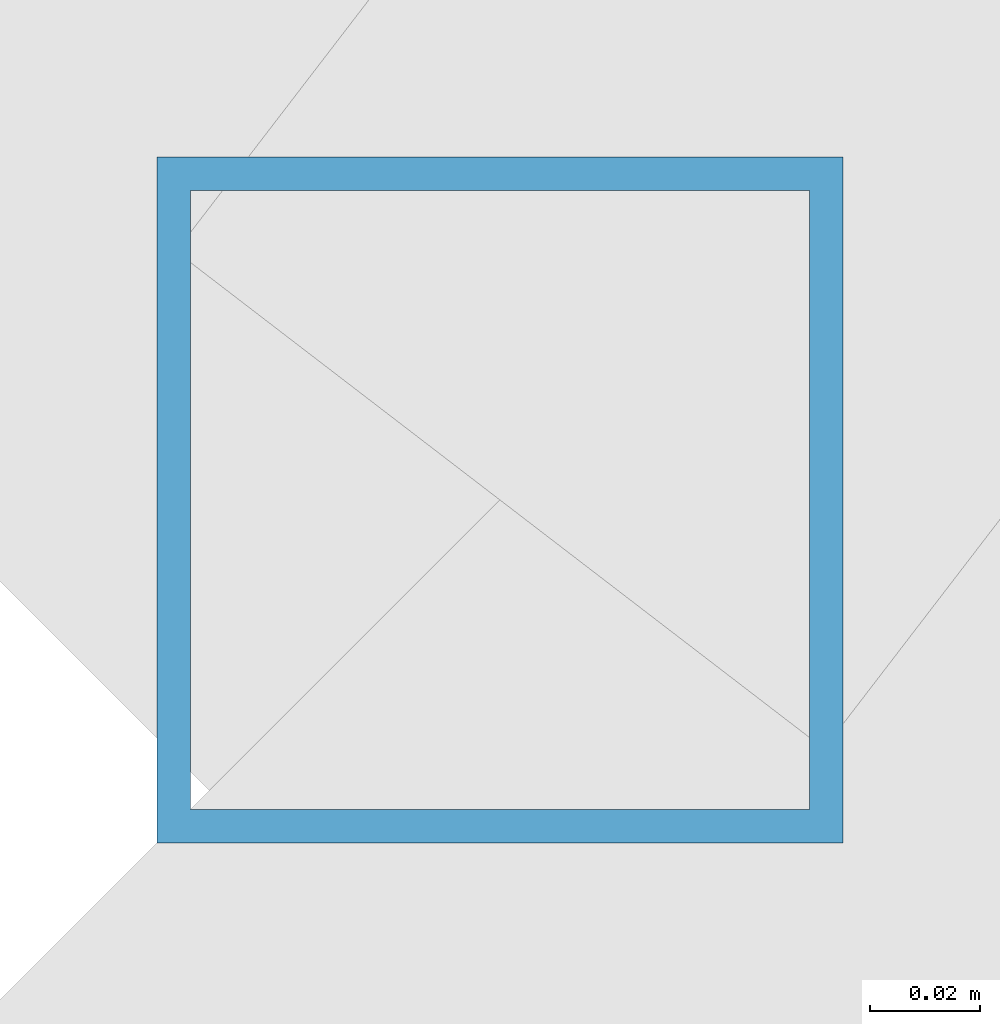
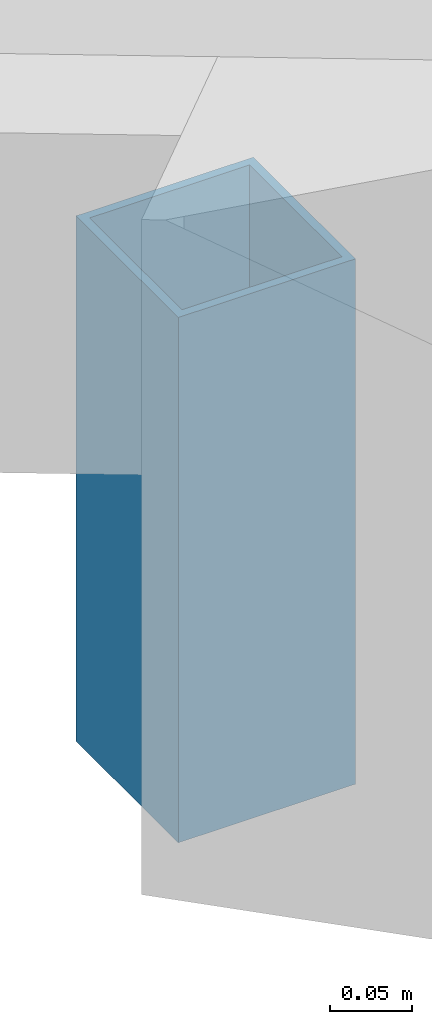
# One storey, part 127 of 200: 1 member.
"""IFC4 building model written with IfcOpenShell, lengths in metres."""

from ifc_helpers import new_model, si_unit, direction, frame, origin, origin_2d, place, context, subcontext, project, spatial, hollow_rectangle, extrude, material, material_profile, profile_set, type_object, element, save


model = new_model("IFC4")

# Units and contexts
model_context = context("Model", 3, precision=1e-05, world=origin(), true_north=direction((0.0, 1.0)))
body_context = subcontext(model_context, "Body", "Model", "MODEL_VIEW")
ifc_project = project(units=[si_unit("LENGTHUNIT", "METRE"), si_unit("AREAUNIT", "SQUARE_METRE"), si_unit("VOLUMEUNIT", "CUBIC_METRE"), si_unit("PLANEANGLEUNIT", "RADIAN"), si_unit("MASSUNIT", "GRAM", prefix="KILO")], contexts=[model_context])

# Site, building, storey
site_placement = place(None, origin())
site = spatial("IfcSite", under=ifc_project, at=site_placement, CompositionType="ELEMENT")
building_placement = place(site_placement, origin())
building = spatial("IfcBuilding", under=site, at=building_placement, Name="Vondelvale Polytechnic", CompositionType="ELEMENT")
storey_placement = place(building_placement, frame((0.0, 0.0, 13.800048828125)))
storey = spatial("IfcBuildingStorey", under=building, at=storey_placement, Name="L03", CompositionType="ELEMENT", Elevation=13.800048828125)

# Member
ifc_material = material(Name="Steel C350L0 (fy = 350 MPa)", Category="steel")
ifc_material_profile = material_profile(ifc_material, hollow_rectangle(XDim=0.125, YDim=0.125, WallThickness=0.006103515625, at=origin_2d()), Name="125x125x6.0SHS")
ifc_profile_set = profile_set([ifc_material_profile], Name="Steel C350L0 (fy = 350 MPa)")
member_type = type_object("IfcMemberType", Name="ROOF TRUSS POST 125SHS", PredefinedType="POST", material=ifc_profile_set)
member_placement = place(storey_placement, frame((121.799072265625, 52.200927734375, 0.0), z_axis=(0.0, 0.0, 1.0), x_axis=(1.0, 0.0, 0.0)))
element("IfcMember", 1, at=member_placement, inside=storey, type_object=member_type, Name="Ring inner eave post 21", PredefinedType="POST", context=body_context, shape_type="SweptSolid", body=[
    extrude(hollow_rectangle(XDim=0.125, YDim=0.125, WallThickness=0.006103515625, at=origin_2d()), origin(), (0.0, 0.0, 1.0), 0.3916015625),
])

save(model, "model.ifc")
